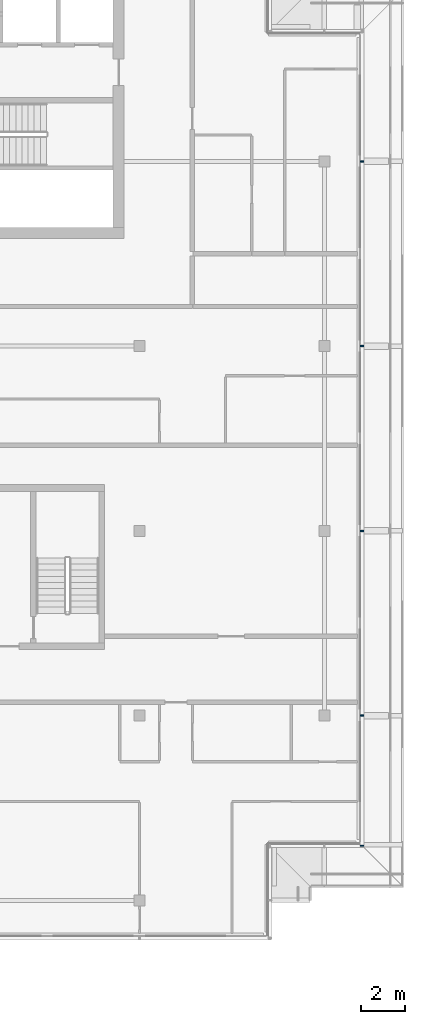
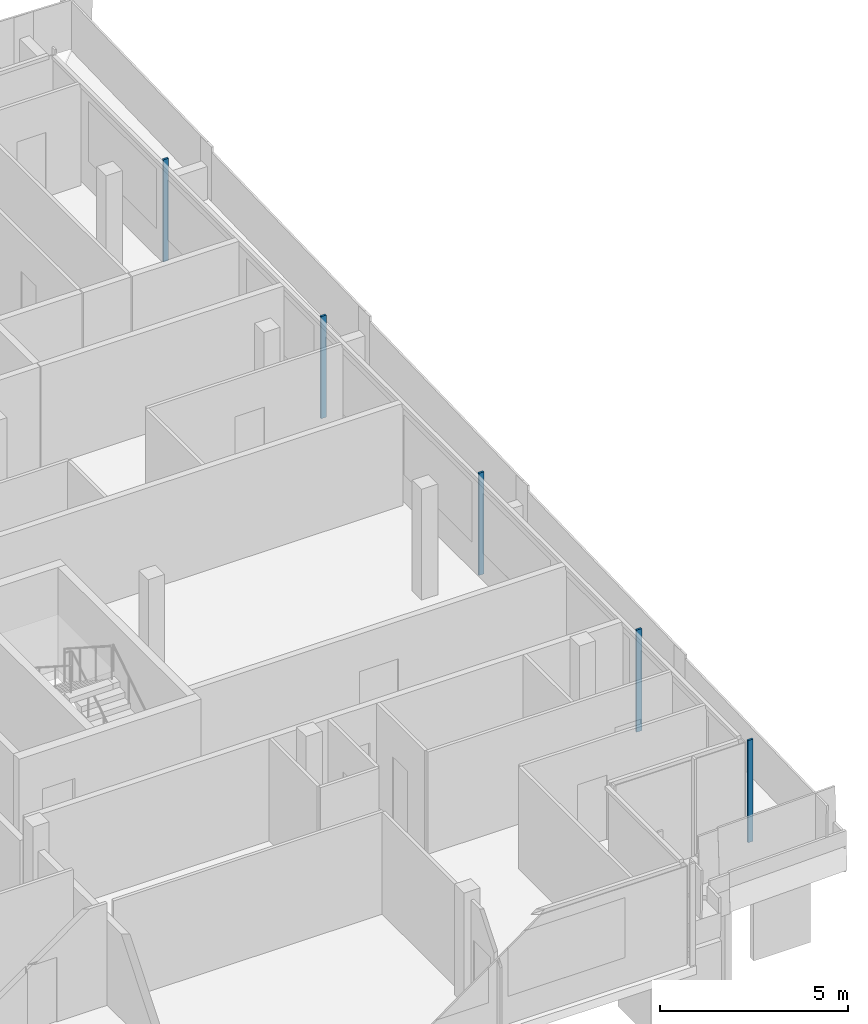
# One storey, part 11 of 27: 5 members, 1 element without a shape of its own.
"""IFC4 building model written with IfcOpenShell, lengths in metres."""

import ifcopenshell
import ifcopenshell.guid

model = None  # the IFC model being written
_history = None  # IfcOwnerHistory: only IFC2X3 demands one
_inside = {}  # id of a spatial element -> (the spatial element, [elements in it])
_under = {}  # id of a project, library or spatial element -> (it, [spatial elements below it])
_declared = {}  # id of a project -> (the project, [libraries it declares])
_typed = {}  # id of a type object -> (the type object, [elements of that type])
_made_of = {}  # id of a material, layer set ... -> (it, [elements and type objects made of it])


def new_model(schema):
    """Start an empty IFC model of exactly this schema.

    Asked for "IFC4X3", IfcOpenShell would pick the latest addendum, in which some entities
    have other attributes; the version numbers below select the first issue.
    IFC2X3 requires an IfcOwnerHistory on every rooted entity: one is made here for all.
    """
    global model, _history
    if schema == "IFC4X3":
        model = ifcopenshell.file(schema_version=(4, 3, 0, 0))
    else:
        model = ifcopenshell.file(schema=schema)
    _inside.clear()
    _under.clear()
    _declared.clear()
    _typed.clear()
    _made_of.clear()
    _history = None
    if model.schema == "IFC2X3":
        org = make("IfcOrganization", Name="unknown")
        user = make(
            "IfcPersonAndOrganization",
            ThePerson=make("IfcPerson", FamilyName="unknown"),
            TheOrganization=org,
        )
        app = make(
            "IfcApplication",
            ApplicationDeveloper=org,
            Version="unknown",
            ApplicationFullName="unknown",
            ApplicationIdentifier="unknown",
        )
        _history = make(
            "IfcOwnerHistory",
            OwningUser=user,
            OwningApplication=app,
            ChangeAction="ADDED",
            CreationDate=0,
        )
    return model


def make(cls, **values):
    """One entity of the class cls with the attributes given. An attribute that is None is left unset."""
    return model.create_entity(
        cls, **{name: value for name, value in values.items() if value is not None}
    )


def rooted(cls, **values):
    """An entity with a GlobalId (a new one), such as an element, a storey or a relation."""
    return make(cls, GlobalId=ifcopenshell.guid.new(), OwnerHistory=_history, **values)


def si_unit(unit_type, name, prefix=None):
    """IfcSIUnit, for example si_unit("LENGTHUNIT", "METRE", prefix="MILLI")."""
    return make("IfcSIUnit", UnitType=unit_type, Prefix=prefix, Name=name)


def assignment(units):
    """IfcUnitAssignment: the units of a project."""
    return None if units is None else make("IfcUnitAssignment", Units=units)


def point(xyz):
    """IfcCartesianPoint."""
    return None if xyz is None else make("IfcCartesianPoint", Coordinates=xyz)


def direction(xyz):
    """IfcDirection."""
    return None if xyz is None else make("IfcDirection", DirectionRatios=xyz)


def frame(location, z_axis=None, x_axis=None):
    """IfcAxis2Placement3D, a coordinate frame: its origin and axes. An axis left out is left unset."""
    return make(
        "IfcAxis2Placement3D",
        Location=point(location),
        Axis=direction(z_axis),
        RefDirection=direction(x_axis),
    )


def frame_2d(location, x_axis=None):
    """IfcAxis2Placement2D, a coordinate frame in the plane: its origin and x axis."""
    return make(
        "IfcAxis2Placement2D", Location=point(location), RefDirection=direction(x_axis)
    )


def origin():
    """The frame at (0, 0, 0) with its axes left unset."""
    return frame((0.0, 0.0, 0.0))


def origin_2d():
    """The frame at (0, 0) in the plane with its x axis left unset."""
    return frame_2d((0.0, 0.0))


def place(relative_to, where):
    """IfcLocalPlacement: puts the frame where relative to a parent placement (None: the world)."""
    return make(
        "IfcLocalPlacement", PlacementRelTo=relative_to, RelativePlacement=where
    )


def context(
    kind, dimensions, precision=None, world=None, true_north=None, identifier=None
):
    """IfcGeometricRepresentationContext, for example the 3D "Model" context."""
    return make(
        "IfcGeometricRepresentationContext",
        ContextIdentifier=identifier,
        ContextType=kind,
        CoordinateSpaceDimension=dimensions,
        Precision=precision,
        WorldCoordinateSystem=world,
        TrueNorth=true_north,
    )


def subcontext(parent, identifier, kind, view, scale=None):
    """IfcGeometricRepresentationSubContext, for example "Body" below "Model"."""
    return make(
        "IfcGeometricRepresentationSubContext",
        ContextIdentifier=identifier,
        ContextType=kind,
        ParentContext=parent,
        TargetScale=scale,
        TargetView=view,
    )


def project(units=None, contexts=None):
    """IfcProject with its units and contexts."""
    return rooted(
        "IfcProject",
        Name="project",
        RepresentationContexts=contexts,
        UnitsInContext=assignment(units),
    )


def spatial(cls, under=None, at=None, **own):
    """A site, building, storey or space (cls), placed at a placement, below another one or the project."""
    s = rooted(cls, ObjectPlacement=at, **own)
    if under is not None:
        _under.setdefault(under.id(), (under, []))[1].append(s)
    return s


def profile(cls, at=None, kind="AREA", **sizes):
    """A parametric profile (cls). Its sizes go by their IFC names, for example OverallWidth=200.0."""
    return make(cls, ProfileType=kind, Position=at, **sizes)


def rectangle(**sizes):
    """IfcRectangleProfileDef."""
    return profile("IfcRectangleProfileDef", **sizes)


def extrude(swept, where, along, depth):
    """IfcExtrudedAreaSolid: the profile swept, set in the frame where, extruded along a direction by depth."""
    return make(
        "IfcExtrudedAreaSolid",
        SweptArea=swept,
        Position=where,
        ExtrudedDirection=direction(along),
        Depth=depth,
    )


def shape(context_of_items, identifier, shape_type, items):
    """IfcShapeRepresentation: the items that make up one representation, for example the "Body"."""
    return make(
        "IfcShapeRepresentation",
        ContextOfItems=context_of_items,
        RepresentationIdentifier=identifier,
        RepresentationType=shape_type,
        Items=items,
    )


def material(Name=None, Category=None):
    """IfcMaterial."""
    return make("IfcMaterial", Name=Name, Category=Category)


def material_profile(
    of_material, cross_section, Name=None, Category=None, Priority=None
):
    """IfcMaterialProfile: a cross section and its material."""
    return make(
        "IfcMaterialProfile",
        Name=Name,
        Material=of_material,
        Profile=cross_section,
        Priority=Priority,
        Category=Category,
    )


def profile_set(profiles, Name=None, composite=None):
    """IfcMaterialProfileSet."""
    return make(
        "IfcMaterialProfileSet",
        Name=Name,
        MaterialProfiles=profiles,
        CompositeProfile=composite,
    )


def made_of(thing, what):
    """Note that an element or type object is made of a material, layer set ...; save() writes the relation."""
    if what is not None:
        _made_of.setdefault(what.id(), (what, []))[1].append(thing)
    return thing


def type_object(cls, material=None, **own):
    """A type object (cls), such as IfcWallType, which elements share."""
    return made_of(rooted(cls, **own), material)


def element(
    cls,
    number,
    at=None,
    inside=None,
    cuts=None,
    type_object=None,
    material=None,
    context=None,
    identifier="Body",
    shape_type=None,
    held_by="IfcProductDefinitionShape",
    body=None,
    shapes=None,
    **own,
):
    """One element of the class cls, such as IfcWall. Its Tag is "e" and its number.

    at: its placement. inside: the storey or other place that contains it. cuts: it is an
    opening in that element (IfcRelVoidsElement). A single representation is given by context,
    identifier, shape_type and body (its items); several are given by shapes. held_by: the class
    of the entity that holds the representations. save() writes the other relations.
    """
    e = rooted(cls, Tag="e%d" % number, ObjectPlacement=at, **own)
    if body is not None:
        shapes = [shape(context, identifier, shape_type, body)]
    if shapes is not None:
        e.Representation = make(held_by, Representations=shapes)
    if inside is not None:
        _inside.setdefault(inside.id(), (inside, []))[1].append(e)
    if cuts is not None:
        rooted(
            "IfcRelVoidsElement", RelatingBuildingElement=cuts, RelatedOpeningElement=e
        )
    if type_object is not None:
        _typed.setdefault(type_object.id(), (type_object, []))[1].append(e)
    return made_of(e, material)


def aggregate(whole, parts):
    """IfcRelAggregates: a whole, such as a stair, and the parts it consists of."""
    return rooted("IfcRelAggregates", RelatingObject=whole, RelatedObjects=parts)


def save(model, path):
    """Write the relations noted so far, then the file.

    IfcRelAggregates (storeys below a building ...), IfcRelContainedInSpatialStructure (elements
    in a storey), IfcRelDefinesByType, IfcRelAssociatesMaterial and IfcRelDeclares: one each for
    every whole, place, type object, material and project.
    """
    for whole, parts in _under.values():
        aggregate(whole, parts)
    for where, things in _inside.values():
        rooted(
            "IfcRelContainedInSpatialStructure",
            RelatedElements=things,
            RelatingStructure=where,
        )
    for kind, things in _typed.values():
        rooted("IfcRelDefinesByType", RelatedObjects=things, RelatingType=kind)
    for what, things in _made_of.values():
        rooted("IfcRelAssociatesMaterial", RelatedObjects=things, RelatingMaterial=what)
    for by, libraries in _declared.values():
        rooted("IfcRelDeclares", RelatingContext=by, RelatedDefinitions=libraries)
    model.write(path)


model = new_model("IFC4")

# Units and contexts
model_context = context("Model", 3, precision=1e-05, world=origin(), true_north=direction((0.0, 1.0)))
body_context = subcontext(model_context, "Body", "Model", "MODEL_VIEW")
ifc_project = project(units=[si_unit("LENGTHUNIT", "METRE"), si_unit("AREAUNIT", "SQUARE_METRE"), si_unit("VOLUMEUNIT", "CUBIC_METRE"), si_unit("PLANEANGLEUNIT", "RADIAN"), si_unit("MASSUNIT", "GRAM", prefix="KILO")], contexts=[model_context])

# Site, building, storey
site_placement = place(None, origin())
site = spatial("IfcSite", under=ifc_project, at=site_placement, CompositionType="ELEMENT")
building_placement = place(site_placement, origin())
building = spatial("IfcBuilding", under=site, at=building_placement, Name="Saffron Gate Tower", CompositionType="ELEMENT")
storey_placement = place(building_placement, frame((0.0, 0.0, 274.35009765625)))
storey = spatial("IfcBuildingStorey", under=building, at=storey_placement, Name="L66", CompositionType="ELEMENT", Elevation=274.35009765625)

# Curtain wall, members
ifc_material = material(Name="Aluminium, bronze anodised", Category="aluminium")
curtain_wall_type = type_object("IfcCurtainWallType", Name="CWS2 curtain wall side facades", PredefinedType="NOTDEFINED", material=ifc_material)
curtain_wall_placement = place(storey_placement, origin())
curtain_wall = element("IfcCurtainWall", 1, at=curtain_wall_placement, inside=storey, type_object=curtain_wall_type, Name="CWS2 run 4", PredefinedType="NOTDEFINED")
ifc_material_profile = material_profile(ifc_material, rectangle(XDim=0.159912109375, YDim=0.06005859375, at=origin_2d()))
ifc_profile_set = profile_set([ifc_material_profile], Name="Aluminium, bronze anodised")
member_type = type_object("IfcMemberType", Name="CWS2 mullion 60x160", PredefinedType="MULLION", material=ifc_profile_set)
member_1_placement = place(storey_placement, frame((118.719970703125, 34.280029296875, 0.0), z_axis=(0.0, 0.0, 1.0), x_axis=(-1.0, 0.0, 0.0)))
member_1 = element("IfcMember", 2, at=member_1_placement, type_object=member_type, Name="CWS2 mullion 1", PredefinedType="MULLION", context=body_context, shape_type="SweptSolid", body=[
    extrude(rectangle(XDim=0.159912109375, YDim=0.06005859375, at=origin_2d()), origin(), (0.0, 0.0, 1.0), 3.31982421875),
])
member_2_placement = place(storey_placement, frame((118.719970703125, 40.199951171875, 0.0), z_axis=(0.0, 0.0, 1.0), x_axis=(-1.0, 0.0, 0.0)))
member_2 = element("IfcMember", 3, at=member_2_placement, type_object=member_type, Name="CWS2 mullion 2", PredefinedType="MULLION", context=body_context, shape_type="SweptSolid", body=[
    extrude(rectangle(XDim=0.159912109375, YDim=0.06005859375, at=origin_2d()), origin(), (0.0, 0.0, 1.0), 3.31982421875),
])
member_3_placement = place(storey_placement, frame((118.719970703125, 48.60009765625, 0.0), z_axis=(0.0, 0.0, 1.0), x_axis=(-1.0, 0.0, 0.0)))
member_3 = element("IfcMember", 4, at=member_3_placement, type_object=member_type, Name="CWS2 mullion 3", PredefinedType="MULLION", context=body_context, shape_type="SweptSolid", body=[
    extrude(rectangle(XDim=0.159912109375, YDim=0.06005859375, at=origin_2d()), origin(), (0.0, 0.0, 1.0), 3.31982421875),
])
member_4_placement = place(storey_placement, frame((118.719970703125, 57.0, 0.0), z_axis=(0.0, 0.0, 1.0), x_axis=(-1.0, 0.0, 0.0)))
member_4 = element("IfcMember", 5, at=member_4_placement, type_object=member_type, Name="CWS2 mullion 4", PredefinedType="MULLION", context=body_context, shape_type="SweptSolid", body=[
    extrude(rectangle(XDim=0.159912109375, YDim=0.06005859375, at=origin_2d()), origin(), (0.0, 0.0, 1.0), 3.31982421875),
])
member_5_placement = place(storey_placement, frame((118.719970703125, 65.39990234375, 0.0), z_axis=(0.0, 0.0, 1.0), x_axis=(-1.0, 0.0, 0.0)))
member_5 = element("IfcMember", 6, at=member_5_placement, type_object=member_type, Name="CWS2 mullion 5", PredefinedType="MULLION", context=body_context, shape_type="SweptSolid", body=[
    extrude(rectangle(XDim=0.159912109375, YDim=0.06005859375, at=origin_2d()), origin(), (0.0, 0.0, 1.0), 3.31982421875),
])
aggregate(curtain_wall, [member_1, member_2, member_3, member_4, member_5])

save(model, "model.ifc")
